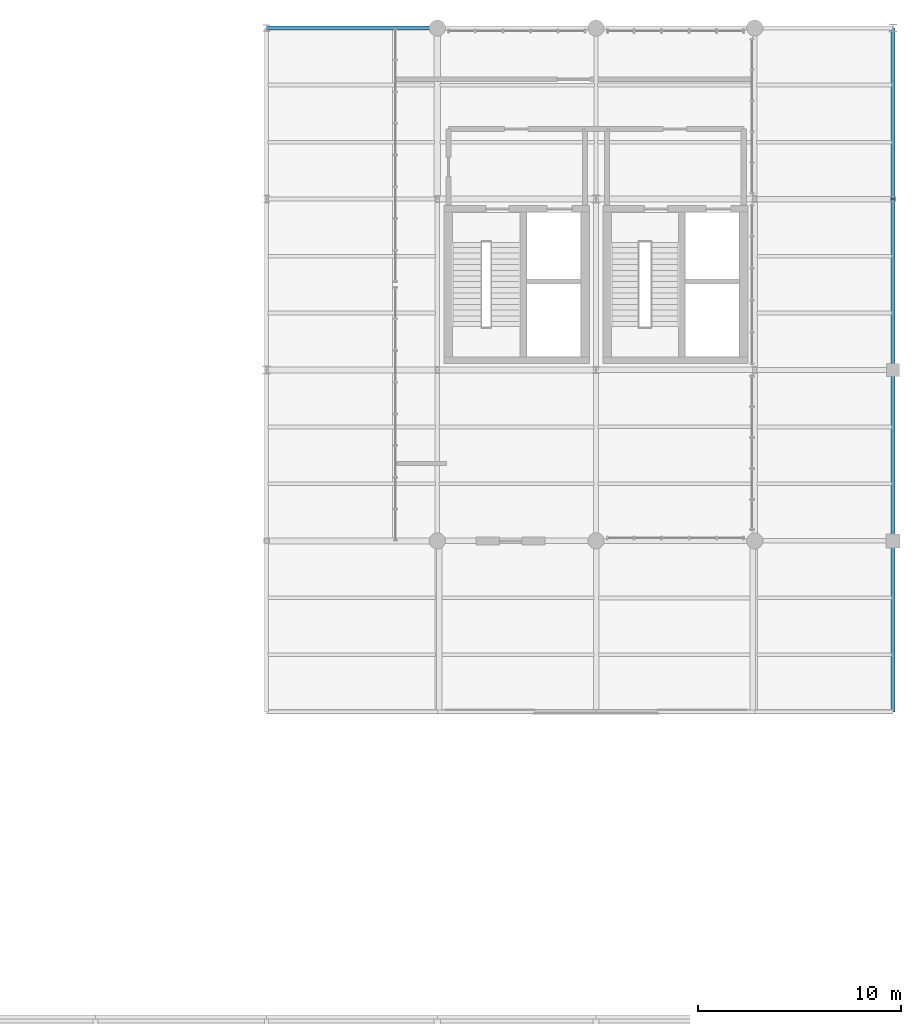
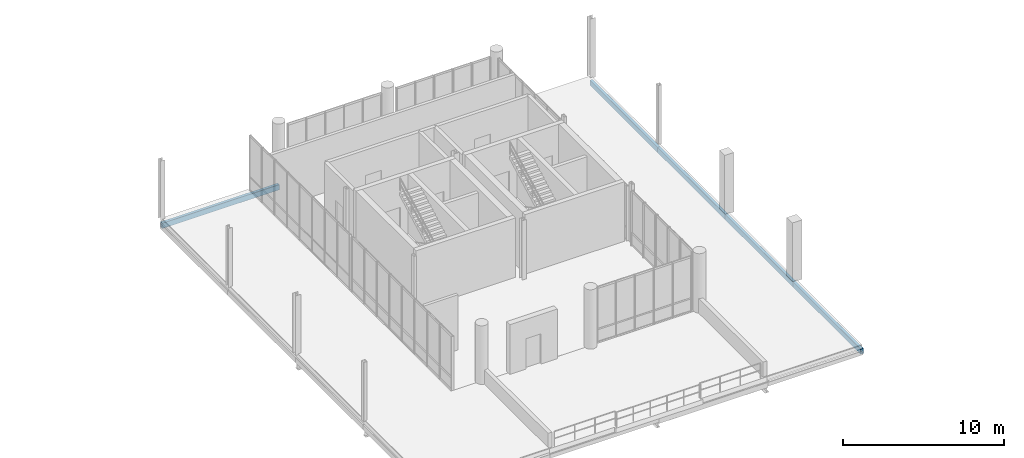
# One storey, part 47 of 68: 5 beams.
"""IFC4 building model written with IfcOpenShell, lengths in metres."""

from ifc_helpers import new_model, si_unit, direction, frame, origin_with_axes, origin_2d_with_axis, place, context, subcontext, project, spatial, hollow_rectangle, extrude, material, material_profile, profile_set, type_object, element, save


model = new_model("IFC4")

# Units and contexts
model_context = context("Model", 3, precision=1e-05, world=origin_with_axes(), true_north=direction((0.0, 1.0)))
body_context = subcontext(model_context, "Body", "Model", "MODEL_VIEW")
ifc_project = project(units=[si_unit("LENGTHUNIT", "METRE"), si_unit("AREAUNIT", "SQUARE_METRE"), si_unit("VOLUMEUNIT", "CUBIC_METRE"), si_unit("PLANEANGLEUNIT", "RADIAN"), si_unit("MASSUNIT", "GRAM", prefix="KILO"), si_unit("THERMODYNAMICTEMPERATUREUNIT", "KELVIN")], contexts=[model_context])

# Site, building, storey
site_placement = place(None, origin_with_axes())
site = spatial("IfcSite", under=ifc_project, at=site_placement, CompositionType="ELEMENT")
building_placement = place(site_placement, origin_with_axes())
building = spatial("IfcBuilding", under=site, at=building_placement, Name="Montbau Bow Law Courts", CompositionType="ELEMENT")
storey_placement = place(building_placement, frame((0.0, 0.0, 20.4), z_axis=(0.0, 0.0, 1.0), x_axis=(1.0, 0.0, 0.0)))
storey = spatial("IfcBuildingStorey", under=building, at=storey_placement, Name="L04", CompositionType="ELEMENT", Elevation=20.4)

# Beams
ifc_material = material(Name="Steel CSA G40.21 Grade 350WT (350 MPa)", Category="steel")
ifc_material_profile = material_profile(ifc_material, hollow_rectangle(XDim=0.203, YDim=0.406, WallThickness=0.0127, InnerFilletRadius=0.0254, OuterFilletRadius=0.0127, at=origin_2d_with_axis()), Name="HSS406X203X13", Category="Main", Priority=0)
ifc_profile_set = profile_set([ifc_material_profile], Name="Steel CSA G40.21 Grade 350WT (350 MPa)")
beam_type = type_object("IfcBeamType", Name="B-SPN-01", PredefinedType="SPANDREL", material=ifc_profile_set)
for number, where, z_axis, x_axis, name in (
    (1, (138.6, 103.2, 19.907), (1.0, 0.0, 0.0), (0.0, 1.0, 0.0), "SPN-L04-S1261:bm2_1264"),
    (2, (169.4, 69.6, 19.947), (0.0, 1.0, 0.0), (-1.0, 0.0, 0.0), "SPN-L04-S1281:bm2_1284"),
    (3, (169.4, 78.0, 19.947), (0.0, 1.0, 0.0), (-1.0, 0.0, 0.0), "SPN-L04-S1282:bm2_1285"),
    (4, (169.4, 86.4, 19.947), (0.0, 1.0, 0.0), (-1.0, 0.0, 0.0), "SPN-L04-S1283:bm2_1286"),
    (5, (169.4, 94.8, 19.947), (0.0, 1.0, 0.0), (-1.0, 0.0, 0.0), "SPN-L04-S1284:bm2_1287"),
):
    element("IfcBeam", number, at=place(None, frame(where, z_axis=z_axis, x_axis=x_axis)), inside=storey, type_object=beam_type, Name=name, PredefinedType="SPANDREL", context=body_context, shape_type="SweptSolid", body=[
        extrude(hollow_rectangle(XDim=0.203, YDim=0.406, WallThickness=0.0127, InnerFilletRadius=0.0254, OuterFilletRadius=0.0127, at=origin_2d_with_axis()), origin_with_axes(), (0.0, 0.0, 1.0), 8.4),
    ])

save(model, "model.ifc")
